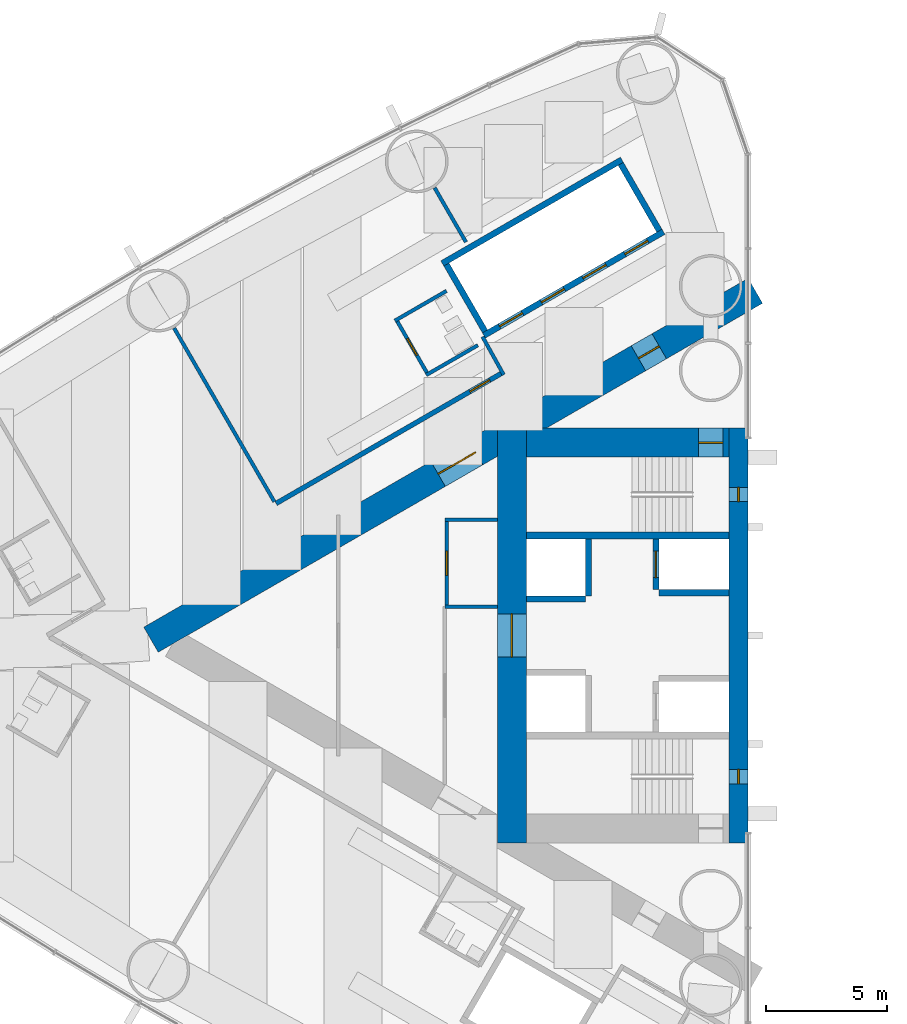
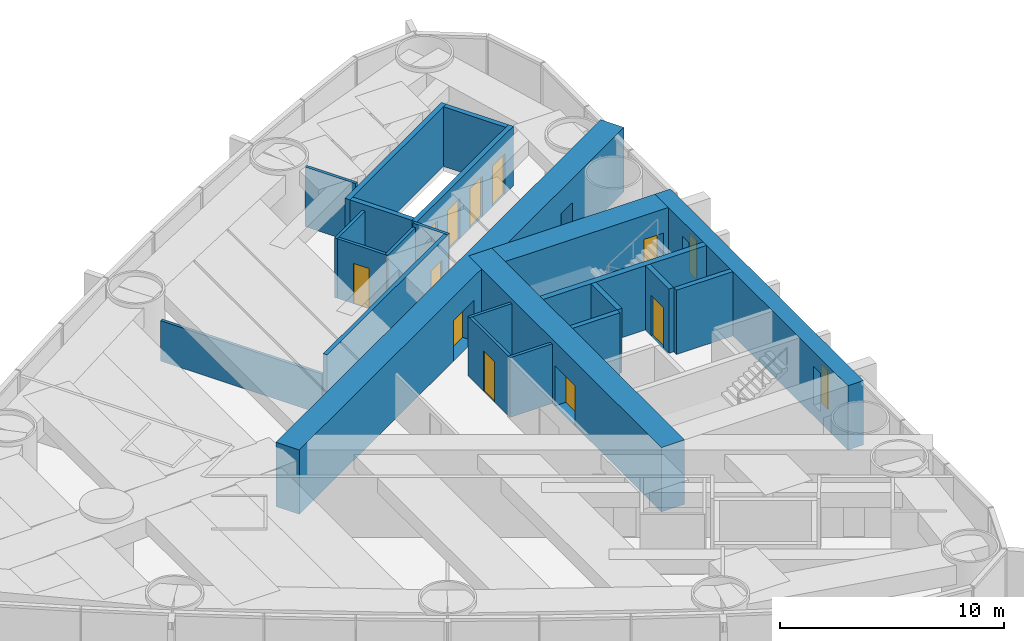
# One storey, part 12 of 18: 23 walls, 12 doors, 2 windows, 14 openings.
"""IFC4 building model written with IfcOpenShell, lengths in metres."""

from ifc_helpers import new_model, si_unit, direction, frame, frame_2d, origin, place, context, subcontext, project, spatial, rectangle, extrude, material, layer, layer_set, type_object, element, fill, save


model = new_model("IFC4")

# Units and contexts
model_context = context("Model", 3, precision=1e-05, world=origin(), true_north=direction((0.0, 1.0)))
body_context = subcontext(model_context, "Body", "Model", "MODEL_VIEW")
ifc_project = project(units=[si_unit("LENGTHUNIT", "METRE"), si_unit("AREAUNIT", "SQUARE_METRE"), si_unit("VOLUMEUNIT", "CUBIC_METRE"), si_unit("PLANEANGLEUNIT", "RADIAN"), si_unit("MASSUNIT", "GRAM", prefix="KILO")], contexts=[model_context])

# Site, building, storey
site_placement = place(None, origin())
site = spatial("IfcSite", under=ifc_project, at=site_placement, CompositionType="ELEMENT")
building_placement = place(site_placement, origin())
building = spatial("IfcBuilding", under=site, at=building_placement, Name="Lancet Gate Hotel", CompositionType="ELEMENT")
storey_placement = place(building_placement, frame((0.0, 0.0, 104.60009765625)))
storey = spatial("IfcBuildingStorey", under=building, at=storey_placement, Name="L27", CompositionType="ELEMENT", Elevation=104.60009765625)

# Wall
ifc_material_1 = material(Name="Moisture resistant board partition")
ifc_layer_1 = layer(ifc_material_1, 0.14990234375)
ifc_layer_set_1 = layer_set([ifc_layer_1], Name="Bathroom wall 150")
wall_type_1 = type_object("IfcWallType", Name="Bathroom wall 150", PredefinedType="PARTITIONING", material=ifc_layer_set_1)
wall_1_placement = place(storey_placement, frame((-40.009765625, 14.294189453125, 0.0), z_axis=(0.0, 0.0, 1.0), x_axis=(-0.866031185235, -0.4999899861, 0.0)))
element("IfcWall", 1, at=wall_1_placement, inside=storey, type_object=wall_type_1, Name="T1 bathroom wall 150 L27", PredefinedType="PARTITIONING", context=body_context, shape_type="SweptSolid", body=[
    extrude(rectangle(XDim=2.47509765625, YDim=0.14990234375, at=frame_2d((1.237548828125, 0.0))), origin(), (0.0, 0.0, 1.0), 3.25),
])

# Wall, opening, door
wall_2_placement = place(storey_placement, frame((-40.788330078125, 10.842529296875, 0.0), z_axis=(0.0, 0.0, 1.0), x_axis=(-0.500006934395, 0.866021400173, 0.0)))
wall_2 = element("IfcWall", 2, at=wall_2_placement, inside=storey, type_object=wall_type_1, Name="T1 bathroom wall 150 L27", PredefinedType="PARTITIONING", context=body_context, shape_type="SweptSolid", body=[
    extrude(rectangle(XDim=2.60009765625, YDim=0.14990234375, at=frame_2d((1.300048828125, 0.0))), origin(), (0.0, 0.0, 1.0), 3.25),
])
opening_1_placement = place(wall_2_placement, frame((0.89990234375, 0.0, 0.0)))
opening_1 = element("IfcOpeningElement", 3, at=opening_1_placement, cuts=wall_2, Name="Opening 2702-B", PredefinedType="OPENING", context=body_context, shape_type="SweptSolid", body=[
    extrude(rectangle(XDim=0.800048828125, YDim=2.199951171875, at=frame_2d((0.39990234375, 1.10009765625))), frame((0.0, 0.0849609375, 0.0), z_axis=(0.0, -1.0, 0.0), x_axis=(1.0, 0.0, 0.0)), (0.0, 0.0, 1.0), 0.169921875),
])
ifc_material_2 = material(Name="Timber door set", Category="wood")
door_type_1 = type_object("IfcDoorType", Name="Bathroom door 800", OperationType="SINGLE_SWING_RIGHT", PredefinedType="DOOR", material=ifc_material_2)
door_1_placement = place(opening_1_placement, origin())
door_1 = element("IfcDoor", 4, at=door_1_placement, inside=storey, type_object=door_type_1, Name="2702-B", OperationType="SINGLE_SWING_RIGHT", OverallHeight=2.199951171875, OverallWidth=0.800048828125, PredefinedType="DOOR", context=body_context, shape_type="SweptSolid", body=[
    extrude(rectangle(XDim=0.800048828125, YDim=2.199951171875, at=frame_2d((0.39990234375, 1.10009765625))), frame((0.0, 0.02490234375, 0.0), z_axis=(0.0, -1.0, 0.0), x_axis=(1.0, 0.0, 0.0)), (0.0, 0.0, 1.0), 0.050048828125),
])
fill(opening_1, door_1)

# Wall
wall_3_placement = place(storey_placement, frame((-38.7099609375, 12.04248046875, 0.0), z_axis=(0.0, 0.0, 1.0), x_axis=(-0.86604923931, -0.499958713387, 0.0)))
element("IfcWall", 5, at=wall_3_placement, inside=storey, type_object=wall_type_1, Name="T1 bathroom wall 150 L27", PredefinedType="PARTITIONING", context=body_context, shape_type="SweptSolid", body=[
    extrude(rectangle(XDim=2.474853515625, YDim=0.14990234375, at=frame_2d((1.2373046875, 0.0))), origin(), (0.0, 0.0, 1.0), 3.25),
])

# Wall, openings, doors
ifc_material_3 = material(Name="Concrete C70/85", Category="concrete")
ifc_layer_2 = layer(ifc_material_3, 1.199951171875)
ifc_layer_set_2 = layer_set([ifc_layer_2], Name="Buttress wall 1200")
wall_type_2 = type_object("IfcWallType", Name="Buttress wall 1200", PredefinedType="SHEAR", material=ifc_layer_set_2)
wall_4_placement = place(storey_placement, frame((-27.199951171875, 14.300048828125, 0.0), z_axis=(0.0, 0.0, 1.0), x_axis=(-0.866026593062, -0.499997940104, 0.0)))
wall_4 = element("IfcWall", 6, at=wall_4_placement, inside=storey, type_object=wall_type_2, Name="T1 buttress wall S L27", PredefinedType="SHEAR", context=body_context, shape_type="SweptSolid", body=[
    extrude(rectangle(XDim=28.9462890625, YDim=1.199951171875, at=frame_2d((14.47314453125, 0.0))), origin(), (0.0, 0.0, 1.0), 3.5),
])
opening_2_placement = place(wall_4_placement, frame((4.60009765625, 0.0, 0.0)))
opening_2 = element("IfcOpeningElement", 7, at=opening_2_placement, cuts=wall_4, Name="Opening T1-L27-LS", PredefinedType="OPENING", context=body_context, shape_type="SweptSolid", body=[
    extrude(rectangle(XDim=1.0, YDim=2.199951171875, at=frame_2d((0.5, 1.10009765625))), frame((0.0, 0.60986328125, 0.0), z_axis=(0.0, -1.0, 0.0), x_axis=(1.0, 0.0, 0.0)), (0.0, 0.0, 1.0), 1.219970703125),
])
opening_3_placement = place(wall_4_placement, frame((13.39453125, 0.0, 0.0)))
opening_3 = element("IfcOpeningElement", 8, at=opening_3_placement, cuts=wall_4, Name="Opening T1-L27-LHS", PredefinedType="OPENING", context=body_context, shape_type="SweptSolid", body=[
    extrude(rectangle(XDim=1.800048828125, YDim=2.199951171875, at=frame_2d((0.89990234375, 1.10009765625))), frame((0.0, 0.60986328125, 0.0), z_axis=(0.0, -1.0, 0.0), x_axis=(1.0, 0.0, 0.0)), (0.0, 0.0, 1.0), 1.219970703125),
])
ifc_material_4 = material(Name="Timber door set", Category="wood")
door_type_2 = type_object("IfcDoorType", Name="Lobby double door 1800", OperationType="DOUBLE_DOOR_SINGLE_SWING", PredefinedType="DOOR", material=ifc_material_4)
door_2_placement = place(opening_3_placement, origin())
door_2 = element("IfcDoor", 9, at=door_2_placement, inside=storey, type_object=door_type_2, Name="T1-L27-LHS", OperationType="DOUBLE_DOOR_SINGLE_SWING", OverallHeight=2.199951171875, OverallWidth=1.800048828125, PredefinedType="DOOR", context=body_context, shape_type="SweptSolid", body=[
    extrude(rectangle(XDim=1.800048828125, YDim=2.199951171875, at=frame_2d((0.89990234375, 1.10009765625))), frame((0.0, 0.02490234375, 0.0), z_axis=(0.0, -1.0, 0.0), x_axis=(1.0, 0.0, 0.0)), (0.0, 0.0, 1.0), 0.050048828125),
])
fill(opening_3, door_2)
ifc_material_5 = material(Name="Timber door set", Category="wood")
door_type_3 = type_object("IfcDoorType", Name="Stair lobby door 1000", OperationType="SINGLE_SWING_LEFT", PredefinedType="DOOR", material=ifc_material_5)
door_3_placement = place(opening_2_placement, origin())
door_3 = element("IfcDoor", 10, at=door_3_placement, inside=storey, type_object=door_type_3, Name="T1-L27-LS", OperationType="SINGLE_SWING_LEFT", OverallHeight=2.199951171875, OverallWidth=1.0, PredefinedType="DOOR", context=body_context, shape_type="SweptSolid", body=[
    extrude(rectangle(XDim=1.0, YDim=2.199951171875, at=frame_2d((0.5, 1.10009765625))), frame((0.0, 0.02490234375, 0.0), z_axis=(0.0, -1.0, 0.0), x_axis=(1.0, 0.0, 0.0)), (0.0, 0.0, 1.0), 0.050048828125),
])
fill(opening_2, door_3)

# Wall, opening, door
ifc_material_6 = material(Name="Concrete C70/85", Category="concrete")
ifc_layer_3 = layer(ifc_material_6, 1.199951171875)
ifc_layer_set_3 = layer_set([ifc_layer_3], Name="Core wall 1200")
wall_type_3 = type_object("IfcWallType", Name="Core wall 1200", PredefinedType="SHEAR", material=ifc_layer_set_3)
wall_5_placement = place(storey_placement, frame((-37.300048828125, 8.60009765625, 0.0), z_axis=(0.0, 0.0, 1.0), x_axis=(0.0, -1.0, 0.0)))
wall_5 = element("IfcWall", 11, at=wall_5_placement, inside=storey, type_object=wall_type_3, Name="T1 core wall back L27", PredefinedType="SHEAR", context=body_context, shape_type="SweptSolid", body=[
    extrude(rectangle(XDim=17.2001953125, YDim=1.199951171875, at=frame_2d((8.60009765625, 0.0))), origin(), (0.0, 0.0, 1.0), 3.5),
])
opening_4_placement = place(wall_5_placement, frame((7.699951171875, 0.0, 0.0)))
opening_4 = element("IfcOpeningElement", 12, at=opening_4_placement, cuts=wall_5, Name="Opening T1-L27-LL", PredefinedType="OPENING", context=body_context, shape_type="SweptSolid", body=[
    extrude(rectangle(XDim=1.800048828125, YDim=2.199951171875, at=frame_2d((0.89990234375, 1.10009765625))), frame((0.0, 0.60986328125, 0.0), z_axis=(0.0, -1.0, 0.0), x_axis=(1.0, 0.0, 0.0)), (0.0, 0.0, 1.0), 1.219970703125),
])
door_4_placement = place(opening_4_placement, origin())
door_4 = element("IfcDoor", 13, at=door_4_placement, inside=storey, type_object=door_type_2, Name="T1-L27-LL", OperationType="DOUBLE_DOOR_SINGLE_SWING", OverallHeight=2.199951171875, OverallWidth=1.800048828125, PredefinedType="DOOR", context=body_context, shape_type="SweptSolid", body=[
    extrude(rectangle(XDim=1.800048828125, YDim=2.199951171875, at=frame_2d((0.89990234375, 1.10009765625))), frame((0.0, 0.02490234375, 0.0), z_axis=(0.0, -1.0, 0.0), x_axis=(1.0, 0.0, 0.0)), (0.0, 0.0, 1.0), 0.050048828125),
])
fill(opening_4, door_4)

wall_6_placement = place(storey_placement, frame((-28.300048828125, 8.0, 0.0), z_axis=(0.0, 0.0, 1.0), x_axis=(-1.0, 0.0, 0.0)))
wall_6 = element("IfcWall", 14, at=wall_6_placement, inside=storey, type_object=wall_type_3, Name="T1 core wall side-S L27", PredefinedType="SHEAR", context=body_context, shape_type="SweptSolid", body=[
    extrude(rectangle(XDim=8.39990234375, YDim=1.199951171875, at=frame_2d((4.199951171875, 0.0))), origin(), (0.0, 0.0, 1.0), 3.5),
])
opening_5_placement = place(wall_6_placement, frame((0.25, 0.0, 0.0)))
opening_5 = element("IfcOpeningElement", 15, at=opening_5_placement, cuts=wall_6, Name="Opening T1-L27-ST1", PredefinedType="OPENING", context=body_context, shape_type="SweptSolid", body=[
    extrude(rectangle(XDim=1.0, YDim=2.199951171875, at=frame_2d((0.5, 1.10009765625))), frame((0.0, 0.60986328125, 0.0), z_axis=(0.0, -1.0, 0.0), x_axis=(1.0, 0.0, 0.0)), (0.0, 0.0, 1.0), 1.219970703125),
])
ifc_material_7 = material(Name="Timber door set", Category="wood")
door_type_4 = type_object("IfcDoorType", Name="Stair door 1000", OperationType="SINGLE_SWING_RIGHT", PredefinedType="DOOR", material=ifc_material_7)
door_5_placement = place(opening_5_placement, origin())
door_5 = element("IfcDoor", 16, at=door_5_placement, inside=storey, type_object=door_type_4, Name="T1-L27-ST1", OperationType="SINGLE_SWING_RIGHT", OverallHeight=2.199951171875, OverallWidth=1.0, PredefinedType="DOOR", context=body_context, shape_type="SweptSolid", body=[
    extrude(rectangle(XDim=1.0, YDim=2.199951171875, at=frame_2d((0.5, 1.10009765625))), frame((0.0, 0.02490234375, 0.0), z_axis=(0.0, -1.0, 0.0), x_axis=(1.0, 0.0, 0.0)), (0.0, 0.0, 1.0), 0.050048828125),
])
fill(opening_5, door_5)

# Wall, openings, windows
ifc_material_8 = material(Name="Concrete C70/85", Category="concrete")
ifc_layer_4 = layer(ifc_material_8, 0.800048828125)
ifc_layer_set_4 = layer_set([ifc_layer_4], Name="Core wall 800")
wall_type_4 = type_object("IfcWallType", Name="Core wall 800", PredefinedType="SHEAR", material=ifc_layer_set_4)
wall_7_placement = place(storey_placement, frame((-27.89990234375, 8.60009765625, 0.0), z_axis=(0.0, 0.0, 1.0), x_axis=(0.0, -1.0, 0.0)))
wall_7 = element("IfcWall", 17, at=wall_7_placement, inside=storey, type_object=wall_type_4, Name="T1 core wall front L27", PredefinedType="SHEAR", context=body_context, shape_type="SweptSolid", body=[
    extrude(rectangle(XDim=17.2001953125, YDim=0.800048828125, at=frame_2d((8.60009765625, 0.0))), origin(), (0.0, 0.0, 1.0), 3.5),
])
opening_6_placement = place(wall_7_placement, frame((2.449951171875, 0.0, 0.60009765625)))
opening_6 = element("IfcOpeningElement", 18, at=opening_6_placement, cuts=wall_7, Name="Opening LW1", PredefinedType="OPENING", context=body_context, shape_type="SweptSolid", body=[
    extrude(rectangle(XDim=0.60009765625, YDim=2.10009765625, at=frame_2d((0.300048828125, 1.050048828125))), frame((0.0, 0.409912109375, 0.0), z_axis=(0.0, -1.0, 0.0), x_axis=(1.0, 0.0, 0.0)), (0.0, 0.0, 1.0), 0.820068359375),
])
opening_7_placement = place(wall_7_placement, frame((14.14990234375, 0.0, 0.60009765625)))
opening_7 = element("IfcOpeningElement", 19, at=opening_7_placement, cuts=wall_7, Name="Opening LW1", PredefinedType="OPENING", context=body_context, shape_type="SweptSolid", body=[
    extrude(rectangle(XDim=0.60009765625, YDim=2.10009765625, at=frame_2d((0.300048828125, 1.050048828125))), frame((0.0, 0.409912109375, 0.0), z_axis=(0.0, -1.0, 0.0), x_axis=(1.0, 0.0, 0.0)), (0.0, 0.0, 1.0), 0.820068359375),
])
ifc_material_9 = material(Name="Fire-resisting glazed steel window", Category="steel")
window_type = type_object("IfcWindowType", Name="Lancet window 600x2100", PartitioningType="SINGLE_PANEL", PredefinedType="WINDOW", material=ifc_material_9)
window_1_placement = place(opening_6_placement, origin())
window_1 = element("IfcWindow", 20, at=window_1_placement, inside=storey, type_object=window_type, Name="T1 stair window S L27", OverallHeight=2.10009765625, OverallWidth=0.60009765625, PartitioningType="SINGLE_PANEL", PredefinedType="WINDOW", context=body_context, shape_type="SweptSolid", body=[
    extrude(rectangle(XDim=0.60009765625, YDim=2.10009765625, at=frame_2d((0.300048828125, 1.050048828125))), frame((0.0, 0.030029296875, 0.0), z_axis=(0.0, -1.0, 0.0), x_axis=(1.0, 0.0, 0.0)), (0.0, 0.0, 1.0), 0.06005859375),
])
fill(opening_6, window_1)
window_2_placement = place(opening_7_placement, origin())
window_2 = element("IfcWindow", 21, at=window_2_placement, inside=storey, type_object=window_type, Name="T1 stair window N L27", OverallHeight=2.10009765625, OverallWidth=0.60009765625, PartitioningType="SINGLE_PANEL", PredefinedType="WINDOW", context=body_context, shape_type="SweptSolid", body=[
    extrude(rectangle(XDim=0.60009765625, YDim=2.10009765625, at=frame_2d((0.300048828125, 1.050048828125))), frame((0.0, 0.030029296875, 0.0), z_axis=(0.0, -1.0, 0.0), x_axis=(1.0, 0.0, 0.0)), (0.0, 0.0, 1.0), 0.06005859375),
])
fill(opening_7, window_2)

# Wall, opening, door
ifc_material_10 = material(Name="Gypsum board partition")
ifc_layer_5 = layer(ifc_material_10, 0.199951171875)
ifc_layer_set_5 = layer_set([ifc_layer_5], Name="Corridor wall 200")
wall_type_5 = type_object("IfcWallType", Name="Corridor wall 200", PredefinedType="PARTITIONING", material=ifc_layer_set_5)
wall_8_placement = place(storey_placement, frame((-37.699951171875, 10.8935546875, 0.0), z_axis=(0.0, 0.0, 1.0), x_axis=(-0.866027551079, -0.499996280759, 0.0)))
wall_8 = element("IfcWall", 22, at=wall_8_placement, inside=storey, type_object=wall_type_5, Name="T1 corridor wall 200 L27", PredefinedType="PARTITIONING", context=body_context, shape_type="SweptSolid", body=[
    extrude(rectangle(XDim=10.83056640625, YDim=0.199951171875, at=frame_2d((5.415283203125, 0.0))), origin(), (0.0, 0.0, 1.0), 3.25),
])
opening_8_placement = place(wall_8_placement, frame((0.60009765625, 0.0, 0.0)))
opening_8 = element("IfcOpeningElement", 23, at=opening_8_placement, cuts=wall_8, Name="Opening 2702-E", PredefinedType="OPENING", context=body_context, shape_type="SweptSolid", body=[
    extrude(rectangle(XDim=0.949951171875, YDim=2.199951171875, at=frame_2d((0.47509765625, 1.10009765625))), frame((0.0, 0.10986328125, 0.0), z_axis=(0.0, -1.0, 0.0), x_axis=(1.0, 0.0, 0.0)), (0.0, 0.0, 1.0), 0.219970703125),
])
ifc_material_11 = material(Name="Timber door set", Category="wood")
door_type_5 = type_object("IfcDoorType", Name="Guest room entry door 950", OperationType="SINGLE_SWING_LEFT", PredefinedType="DOOR", material=ifc_material_11)
door_6_placement = place(opening_8_placement, origin())
door_6 = element("IfcDoor", 24, at=door_6_placement, inside=storey, type_object=door_type_5, Name="2702-E", OperationType="SINGLE_SWING_LEFT", OverallHeight=2.199951171875, OverallWidth=0.949951171875, PredefinedType="DOOR", context=body_context, shape_type="SweptSolid", body=[
    extrude(rectangle(XDim=0.949951171875, YDim=2.199951171875, at=frame_2d((0.47509765625, 1.10009765625))), frame((0.0, 0.02490234375, 0.0), z_axis=(0.0, -1.0, 0.0), x_axis=(1.0, 0.0, 0.0)), (0.0, 0.0, 1.0), 0.050048828125),
])
fill(opening_8, door_6)

# Wall, openings, doors
ifc_material_12 = material(Name="Gypsum board partition")
ifc_layer_6 = layer(ifc_material_12, 0.25)
ifc_layer_set_6 = layer_set([ifc_layer_6], Name="Lift shaft partition 250")
wall_type_6 = type_object("IfcWallType", Name="Lift shaft partition 250", PredefinedType="PARTITIONING", material=ifc_layer_set_6)
wall_9_placement = place(storey_placement, frame((-31.010498046875, 16.747314453125, 0.0), z_axis=(0.0, 0.0, 1.0), x_axis=(-0.866028165386, -0.499995216735, 0.0)))
wall_9 = element("IfcWall", 25, at=wall_9_placement, inside=storey, type_object=wall_type_6, Name="T1 lift shaft wall LR L27", PredefinedType="PARTITIONING", context=body_context, shape_type="SweptSolid", body=[
    extrude(rectangle(XDim=8.60009765625, YDim=0.25, at=frame_2d((4.300048828125, 0.0))), origin(), (0.0, 0.0, 1.0), 3.25),
])
opening_9_placement = place(wall_9_placement, frame((0.75, 0.0, 0.0)))
opening_9 = element("IfcOpeningElement", 26, at=opening_9_placement, cuts=wall_9, Name="Opening T1-LR1-L27", PredefinedType="OPENING", context=body_context, shape_type="SweptSolid", body=[
    extrude(rectangle(XDim=1.10009765625, YDim=2.199951171875, at=frame_2d((0.550048828125, 1.10009765625))), frame((0.0, 0.135009765625, 0.0), z_axis=(0.0, -1.0, 0.0), x_axis=(1.0, 0.0, 0.0)), (0.0, 0.0, 1.0), 0.27001953125),
])
opening_10_placement = place(wall_9_placement, frame((2.75, 0.0, 0.0)))
opening_10 = element("IfcOpeningElement", 27, at=opening_10_placement, cuts=wall_9, Name="Opening T1-LR2-L27", PredefinedType="OPENING", context=body_context, shape_type="SweptSolid", body=[
    extrude(rectangle(XDim=1.10009765625, YDim=2.199951171875, at=frame_2d((0.550048828125, 1.10009765625))), frame((0.0, 0.135009765625, 0.0), z_axis=(0.0, -1.0, 0.0), x_axis=(1.0, 0.0, 0.0)), (0.0, 0.0, 1.0), 0.27001953125),
])
opening_11_placement = place(wall_9_placement, frame((4.75, 0.0, 0.0)))
opening_11 = element("IfcOpeningElement", 28, at=opening_11_placement, cuts=wall_9, Name="Opening T1-LR3-L27", PredefinedType="OPENING", context=body_context, shape_type="SweptSolid", body=[
    extrude(rectangle(XDim=1.10009765625, YDim=2.199951171875, at=frame_2d((0.550048828125, 1.10009765625))), frame((0.0, 0.135009765625, 0.0), z_axis=(0.0, -1.0, 0.0), x_axis=(1.0, 0.0, 0.0)), (0.0, 0.0, 1.0), 0.27001953125),
])
opening_12_placement = place(wall_9_placement, frame((6.75, 0.0, 0.0)))
opening_12 = element("IfcOpeningElement", 29, at=opening_12_placement, cuts=wall_9, Name="Opening T1-LR4-L27", PredefinedType="OPENING", context=body_context, shape_type="SweptSolid", body=[
    extrude(rectangle(XDim=1.10009765625, YDim=2.199951171875, at=frame_2d((0.550048828125, 1.10009765625))), frame((0.0, 0.135009765625, 0.0), z_axis=(0.0, -1.0, 0.0), x_axis=(1.0, 0.0, 0.0)), (0.0, 0.0, 1.0), 0.27001953125),
])
ifc_material_13 = material(Name="Steel door set", Category="steel")
door_type_6 = type_object("IfcDoorType", Name="Lift landing door 1100", OperationType="DOUBLE_DOOR_SLIDING", PredefinedType="USERDEFINED", material=ifc_material_13)
door_7_placement = place(opening_9_placement, origin())
door_7 = element("IfcDoor", 30, at=door_7_placement, inside=storey, type_object=door_type_6, Name="T1-LR1-L27", ObjectType="LIFT LANDING DOOR", OperationType="DOUBLE_DOOR_SLIDING", OverallHeight=2.199951171875, OverallWidth=1.10009765625, PredefinedType="USERDEFINED", context=body_context, shape_type="SweptSolid", body=[
    extrude(rectangle(XDim=1.10009765625, YDim=2.199951171875, at=frame_2d((0.550048828125, 1.10009765625))), frame((0.0, 0.02490234375, 0.0), z_axis=(0.0, -1.0, 0.0), x_axis=(1.0, 0.0, 0.0)), (0.0, 0.0, 1.0), 0.050048828125),
])
fill(opening_9, door_7)
door_8_placement = place(opening_10_placement, origin())
door_8 = element("IfcDoor", 31, at=door_8_placement, inside=storey, type_object=door_type_6, Name="T1-LR2-L27", ObjectType="LIFT LANDING DOOR", OperationType="DOUBLE_DOOR_SLIDING", OverallHeight=2.199951171875, OverallWidth=1.10009765625, PredefinedType="USERDEFINED", context=body_context, shape_type="SweptSolid", body=[
    extrude(rectangle(XDim=1.10009765625, YDim=2.199951171875, at=frame_2d((0.550048828125, 1.10009765625))), frame((0.0, 0.02490234375, 0.0), z_axis=(0.0, -1.0, 0.0), x_axis=(1.0, 0.0, 0.0)), (0.0, 0.0, 1.0), 0.050048828125),
])
fill(opening_10, door_8)
door_9_placement = place(opening_11_placement, origin())
door_9 = element("IfcDoor", 32, at=door_9_placement, inside=storey, type_object=door_type_6, Name="T1-LR3-L27", ObjectType="LIFT LANDING DOOR", OperationType="DOUBLE_DOOR_SLIDING", OverallHeight=2.199951171875, OverallWidth=1.10009765625, PredefinedType="USERDEFINED", context=body_context, shape_type="SweptSolid", body=[
    extrude(rectangle(XDim=1.10009765625, YDim=2.199951171875, at=frame_2d((0.550048828125, 1.10009765625))), frame((0.0, 0.02490234375, 0.0), z_axis=(0.0, -1.0, 0.0), x_axis=(1.0, 0.0, 0.0)), (0.0, 0.0, 1.0), 0.050048828125),
])
fill(opening_11, door_9)
door_10_placement = place(opening_12_placement, origin())
door_10 = element("IfcDoor", 33, at=door_10_placement, inside=storey, type_object=door_type_6, Name="T1-LR4-L27", ObjectType="LIFT LANDING DOOR", OperationType="DOUBLE_DOOR_SLIDING", OverallHeight=2.199951171875, OverallWidth=1.10009765625, PredefinedType="USERDEFINED", context=body_context, shape_type="SweptSolid", body=[
    extrude(rectangle(XDim=1.10009765625, YDim=2.199951171875, at=frame_2d((0.550048828125, 1.10009765625))), frame((0.0, 0.02490234375, 0.0), z_axis=(0.0, -1.0, 0.0), x_axis=(1.0, 0.0, 0.0)), (0.0, 0.0, 1.0), 0.050048828125),
])
fill(opening_12, door_10)

# Walls
wall_10_placement = place(storey_placement, frame((-32.735595703125, 19.73583984375, 0.0), z_axis=(0.0, 0.0, 1.0), x_axis=(-0.866028165386, -0.499995216735, 0.0)))
element("IfcWall", 34, at=wall_10_placement, inside=storey, type_object=wall_type_6, Name="T1 lift shaft wall LR L27", PredefinedType="PARTITIONING", context=body_context, shape_type="SweptSolid", body=[
    extrude(rectangle(XDim=8.60009765625, YDim=0.25, at=frame_2d((4.300048828125, 0.0))), origin(), (0.0, 0.0, 1.0), 3.25),
])
wall_11_placement = place(storey_placement, frame((-31.18115234375, 16.79296875, 0.0), z_axis=(0.0, 0.0, 1.0), x_axis=(-0.499929347863, 0.866066190972, 0.0)))
element("IfcWall", 35, at=wall_11_placement, inside=storey, type_object=wall_type_6, Name="T1 lift shaft wall LR L27", PredefinedType="PARTITIONING", context=body_context, shape_type="SweptSolid", body=[
    extrude(rectangle(XDim=3.20068359375, YDim=0.25, at=frame_2d((1.600341796875, 0.0))), origin(), (0.0, 0.0, 1.0), 3.25),
])
wall_12_placement = place(storey_placement, frame((-38.412841796875, 12.617919921875, 0.0), z_axis=(0.0, 0.0, 1.0), x_axis=(-0.499872130319, 0.866099216793, 0.0)))
element("IfcWall", 36, at=wall_12_placement, inside=storey, type_object=wall_type_6, Name="T1 lift shaft wall LR L27", PredefinedType="PARTITIONING", context=body_context, shape_type="SweptSolid", body=[
    extrude(rectangle(XDim=3.200439453125, YDim=0.25, at=frame_2d((1.60009765625, 0.0))), origin(), (0.0, 0.0, 1.0), 3.25),
])

# Wall, opening, door
ifc_material_14 = material(Name="Concrete C50/60", Category="concrete")
ifc_layer_7 = layer(ifc_material_14, 0.25)
ifc_layer_set_7 = layer_set([ifc_layer_7], Name="Lift shaft wall 250")
wall_type_7 = type_object("IfcWallType", Name="Lift shaft wall 250", PredefinedType="SHEAR", material=ifc_layer_set_7)
wall_13_placement = place(storey_placement, frame((-31.324951171875, 4.0, 0.0), z_axis=(0.0, 0.0, 1.0), x_axis=(0.0, -1.0, 0.0)))
wall_13 = element("IfcWall", 37, at=wall_13_placement, inside=storey, type_object=wall_type_7, Name="T1 core wall row1-S L27", PredefinedType="SHEAR", context=body_context, shape_type="SweptSolid", body=[
    extrude(rectangle(XDim=2.10009765625, YDim=0.25, at=frame_2d((1.050048828125, 0.0))), origin(), (0.0, 0.0, 1.0), 3.5),
])
opening_13_placement = place(wall_13_placement, frame((0.5, 0.0, 0.0)))
opening_13 = element("IfcOpeningElement", 38, at=opening_13_placement, cuts=wall_13, Name="Opening T1-SL1-L27", PredefinedType="OPENING", context=body_context, shape_type="SweptSolid", body=[
    extrude(rectangle(XDim=1.10009765625, YDim=2.199951171875, at=frame_2d((0.550048828125, 1.10009765625))), frame((0.0, 0.135009765625, 0.0), z_axis=(0.0, -1.0, 0.0), x_axis=(1.0, 0.0, 0.0)), (0.0, 0.0, 1.0), 0.27001953125),
])
ifc_material_15 = material(Name="Timber door set", Category="wood")
door_type_7 = type_object("IfcDoorType", Name="Service lift landing door 1100", OperationType="SLIDING_TO_LEFT", PredefinedType="USERDEFINED", material=ifc_material_15)
door_11_placement = place(opening_13_placement, origin())
door_11 = element("IfcDoor", 39, at=door_11_placement, inside=storey, type_object=door_type_7, Name="T1-SL1-L27", ObjectType="LIFT LANDING DOOR", OperationType="SLIDING_TO_LEFT", OverallHeight=2.199951171875, OverallWidth=1.10009765625, PredefinedType="USERDEFINED", context=body_context, shape_type="SweptSolid", body=[
    extrude(rectangle(XDim=1.10009765625, YDim=2.199951171875, at=frame_2d((0.550048828125, 1.10009765625))), frame((0.0, 0.02490234375, 0.0), z_axis=(0.0, -1.0, 0.0), x_axis=(1.0, 0.0, 0.0)), (0.0, 0.0, 1.0), 0.050048828125),
])
fill(opening_13, door_11)

# Walls
wall_14_placement = place(storey_placement, frame((-34.125, 4.0, 0.0), z_axis=(0.0, 0.0, 1.0), x_axis=(0.0, -1.0, 0.0)))
element("IfcWall", 40, at=wall_14_placement, inside=storey, type_object=wall_type_7, Name="T1 core wall row2-S L27", PredefinedType="SHEAR", context=body_context, shape_type="SweptSolid", body=[
    extrude(rectangle(XDim=2.35009765625, YDim=0.25, at=frame_2d((1.175048828125, 0.0))), origin(), (0.0, 0.0, 1.0), 3.5),
])
wall_15_placement = place(storey_placement, frame((-28.300048828125, 1.77490234375, 0.0), z_axis=(0.0, 0.0, 1.0), x_axis=(-1.0, 0.0, 0.0)))
element("IfcWall", 41, at=wall_15_placement, inside=storey, type_object=wall_type_7, Name="T1 core wall pass1-S L27", PredefinedType="SHEAR", context=body_context, shape_type="SweptSolid", body=[
    extrude(rectangle(XDim=2.89990234375, YDim=0.25, at=frame_2d((1.449951171875, 0.0))), origin(), (0.0, 0.0, 1.0), 3.5),
])
wall_16_placement = place(storey_placement, frame((-34.25, 1.52490234375, 0.0), z_axis=(0.0, 0.0, 1.0), x_axis=(-1.0, 0.0, 0.0)))
element("IfcWall", 42, at=wall_16_placement, inside=storey, type_object=wall_type_7, Name="T1 core wall pass2-S L27", PredefinedType="SHEAR", context=body_context, shape_type="SweptSolid", body=[
    extrude(rectangle(XDim=2.449951171875, YDim=0.25, at=frame_2d((1.22509765625, 0.0))), origin(), (0.0, 0.0, 1.0), 3.5),
])
ifc_material_16 = material(Name="Gypsum board partition")
ifc_layer_8 = layer(ifc_material_16, 0.14990234375)
ifc_layer_set_8 = layer_set([ifc_layer_8], Name="Party wall 150")
wall_type_8 = type_object("IfcWallType", Name="Party wall 150", PredefinedType="PARTITIONING", material=ifc_layer_set_8)
wall_17_placement = place(storey_placement, frame((-47.151123046875, 5.552490234375, 0.0), z_axis=(0.0, 0.0, 1.0), x_axis=(-0.500003012045, 0.866023664773, 0.0)))
element("IfcWall", 43, at=wall_17_placement, inside=storey, type_object=wall_type_8, Name="T1 party wall 150 L27", PredefinedType="PARTITIONING", context=body_context, shape_type="SweptSolid", body=[
    extrude(rectangle(XDim=8.31103515625, YDim=0.14990234375, at=frame_2d((4.155517578125, 0.0))), origin(), (0.0, 0.0, 1.0), 2.199951171875),
])
wall_18_placement = place(storey_placement, frame((-39.202392578125, 16.31982421875, 0.0), z_axis=(0.0, 0.0, 1.0), x_axis=(-0.499947391036, 0.866055775454, 0.0)))
element("IfcWall", 44, at=wall_18_placement, inside=storey, type_object=wall_type_8, Name="T1 party wall 150 L27", PredefinedType="PARTITIONING", context=body_context, shape_type="SweptSolid", body=[
    extrude(rectangle(XDim=2.599365234375, YDim=0.14990234375, at=frame_2d((1.2998046875, 0.0))), origin(), (0.0, 0.0, 1.0), 3.25),
])
ifc_material_17 = material(Name="Gypsum board partition")
ifc_layer_9 = layer(ifc_material_17, 0.14990234375)
ifc_layer_set_9 = layer_set([ifc_layer_9], Name="Service room wall 150")
wall_type_9 = type_object("IfcWallType", Name="Service room wall 150", PredefinedType="PARTITIONING", material=ifc_layer_set_9)
wall_19_placement = place(storey_placement, frame((-38.513427734375, 12.392333984375, 0.0), z_axis=(0.0, 0.0, 1.0), x_axis=(0.485585508183, -0.874189175317, 0.0)))
element("IfcWall", 45, at=wall_19_placement, inside=storey, type_object=wall_type_9, Name="T1 service room wall 150 L27", PredefinedType="PARTITIONING", context=body_context, shape_type="SweptSolid", body=[
    extrude(rectangle(XDim=1.804931640625, YDim=0.14990234375, at=frame_2d((0.90234375, 0.0))), origin(), (0.0, 0.0, 1.0), 3.25),
])
for number, where, z_axis, x_axis, name in (
    (46, (-37.89990234375, 1.199951171875, 0.0), (0.0, 0.0, 1.0), (-1.0, 0.0, 0.0), "T1 service room wall 150 L27"),
    (47, (-37.89990234375, 4.800048828125, 0.0), (0.0, 0.0, 1.0), (-1.0, 0.0, 0.0), "T1 service room wall 150 L27"),
):
    element("IfcWall", number, at=place(storey_placement, frame(where, z_axis=z_axis, x_axis=x_axis)), inside=storey, type_object=wall_type_9, Name=name, PredefinedType="PARTITIONING", context=body_context, shape_type="SweptSolid", body=[
        extrude(rectangle(XDim=2.175048828125, YDim=0.14990234375, at=frame_2d((1.08740234375, 0.0))), origin(), (0.0, 0.0, 1.0), 3.25),
    ])

# Wall, opening, door
wall_20_placement = place(storey_placement, frame((-40.0, 4.875, 0.0), z_axis=(0.0, 0.0, 1.0), x_axis=(0.0, -1.0, 0.0)))
wall_20 = element("IfcWall", 48, at=wall_20_placement, inside=storey, type_object=wall_type_9, Name="T1 service room wall 150 L27", PredefinedType="PARTITIONING", context=body_context, shape_type="SweptSolid", body=[
    extrude(rectangle(XDim=3.75, YDim=0.14990234375, at=frame_2d((1.875, 0.0))), origin(), (0.0, 0.0, 1.0), 3.25),
])
opening_14_placement = place(wall_20_placement, frame((1.375, 0.0, 0.0)))
opening_14 = element("IfcOpeningElement", 49, at=opening_14_placement, cuts=wall_20, Name="Opening T1-L27-HRS0", PredefinedType="OPENING", context=body_context, shape_type="SweptSolid", body=[
    extrude(rectangle(XDim=1.0, YDim=2.199951171875, at=frame_2d((0.5, 1.10009765625))), frame((0.0, 0.0849609375, 0.0), z_axis=(0.0, -1.0, 0.0), x_axis=(1.0, 0.0, 0.0)), (0.0, 0.0, 1.0), 0.169921875),
])
ifc_material_18 = material(Name="Timber door set", Category="wood")
door_type_8 = type_object("IfcDoorType", Name="Service door 1000", OperationType="SINGLE_SWING_LEFT", PredefinedType="DOOR", material=ifc_material_18)
door_12_placement = place(opening_14_placement, origin())
door_12 = element("IfcDoor", 50, at=door_12_placement, inside=storey, type_object=door_type_8, Name="T1-L27-HRS0", OperationType="SINGLE_SWING_LEFT", OverallHeight=2.199951171875, OverallWidth=1.0, PredefinedType="DOOR", context=body_context, shape_type="SweptSolid", body=[
    extrude(rectangle(XDim=1.0, YDim=2.199951171875, at=frame_2d((0.5, 1.10009765625))), frame((0.0, 0.02490234375, 0.0), z_axis=(0.0, -1.0, 0.0), x_axis=(1.0, 0.0, 0.0)), (0.0, 0.0, 1.0), 0.050048828125),
])
fill(opening_14, door_12)

# Wall
ifc_material_19 = material(Name="Concrete C50/60", Category="concrete")
ifc_layer_10 = layer(ifc_material_19, 0.300048828125)
ifc_layer_set_10 = layer_set([ifc_layer_10], Name="Stair enclosure wall 300")
wall_type_10 = type_object("IfcWallType", Name="Stair enclosure wall 300", PredefinedType="SHEAR", material=ifc_layer_set_10)
wall_21_placement = place(storey_placement, frame((-28.300048828125, 4.14990234375, 0.0), z_axis=(0.0, 0.0, 1.0), x_axis=(-1.0, 0.0, 0.0)))
element("IfcWall", 51, at=wall_21_placement, inside=storey, type_object=wall_type_10, Name="T1 core wall stair-S L27", PredefinedType="SHEAR", context=body_context, shape_type="SweptSolid", body=[
    extrude(rectangle(XDim=8.39990234375, YDim=0.300048828125, at=frame_2d((4.199951171875, 0.0))), origin(), (0.0, 0.0, 1.0), 3.5),
])

save(model, "model.ifc")
